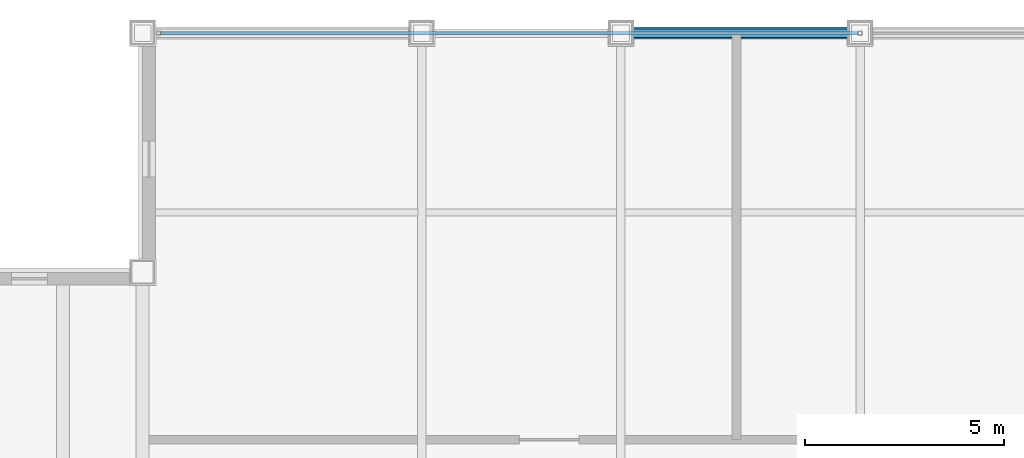
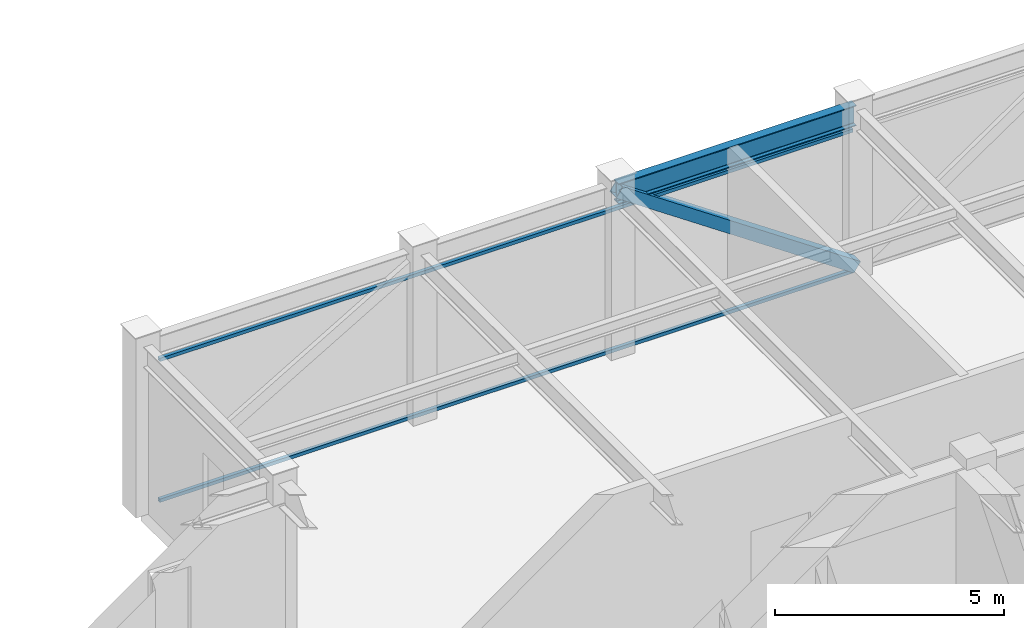
# One storey, part 17 of 27: 3 members, 1 beam, 1 element without a shape of its own.
"""IFC4 building model written with IfcOpenShell, lengths in metres."""

from ifc_helpers import new_model, si_unit, direction, frame, origin, origin_2d, place, context, subcontext, project, spatial, hollow_rectangle, i_section, extrude, source, transform, mapped, material, material_profile, profile_set, type_object, element, aggregate, save


model = new_model("IFC4")

# Units and contexts
model_context = context("Model", 3, precision=1e-05, world=origin(), true_north=direction((0.0, 1.0)))
body_context = subcontext(model_context, "Body", "Model", "MODEL_VIEW")
ifc_project = project(units=[si_unit("LENGTHUNIT", "METRE"), si_unit("AREAUNIT", "SQUARE_METRE"), si_unit("VOLUMEUNIT", "CUBIC_METRE"), si_unit("PLANEANGLEUNIT", "RADIAN"), si_unit("MASSUNIT", "GRAM", prefix="KILO")], contexts=[model_context])

# Site, building, storey
site_placement = place(None, origin())
site = spatial("IfcSite", under=ifc_project, at=site_placement, CompositionType="ELEMENT")
building_placement = place(site_placement, origin())
building = spatial("IfcBuilding", under=site, at=building_placement, Name="Khorayat Bourse Tower", CompositionType="ELEMENT")
storey_placement = place(building_placement, frame((0.0, 0.0, 399.5)))
storey = spatial("IfcBuildingStorey", under=building, at=storey_placement, Name="L94", CompositionType="ELEMENT", Elevation=399.5)

# Beam
ifc_material_1 = material(Name="Steel ASTM A992 Grade 50", Category="steel")
ifc_material_profile_1 = material_profile(ifc_material_1, i_section(OverallWidth=0.214111328125, OverallDepth=0.549072265625, WebThickness=0.0146484375, FlangeThickness=0.023681640625, FilletRadius=0.013916015625, at=origin_2d()), Name="W530X138")
ifc_profile_set_1 = profile_set([ifc_material_profile_1], Name="Steel ASTM A992 Grade 50")
beam_type = type_object("IfcBeamType", Name="BM-SPAN-530", PredefinedType="SPANDREL", material=ifc_profile_set_1)
shared_shape_1 = source(origin(), body_context, "Body", "SweptSolid", [
    extrude(i_section(OverallWidth=0.214111328125, OverallDepth=0.549072265625, WebThickness=0.0146484375, FlangeThickness=0.023681640625, FilletRadius=0.013916015625, at=origin_2d()), origin(), (0.0, 0.0, 1.0), 6.0),
])
beam_placement = place(storey_placement, frame((-6.0, 24.0, 4.2255859375), z_axis=(1.0, 0.0, 0.0), x_axis=(0.0, 1.0, 0.0)))
element("IfcBeam", 1, at=beam_placement, inside=storey, type_object=beam_type, Name="L94 BM-SPAN-530 BM-L94-SPN-043", PredefinedType="SPANDREL", context=body_context, shape_type="MappedRepresentation", body=[
    mapped(shared_shape_1, transform((0.0, 0.0, 0.0), scale=1.0)),
])

# Member
ifc_material_2 = material(Name="Steel EN 10025-2 S355J2", Category="steel")
ifc_material_profile_2 = material_profile(ifc_material_2, hollow_rectangle(XDim=0.300048828125, YDim=0.300048828125, WallThickness=0.01611328125, at=origin_2d()), Name="HSS 300x300x16")
ifc_profile_set_2 = profile_set([ifc_material_profile_2], Name="Steel EN 10025-2 S355J2")
member_type_1 = type_object("IfcMemberType", Name="MBR-CROWN-300", PredefinedType="USERDEFINED", material=ifc_profile_set_2)
shared_shape_2 = source(origin(), body_context, "Body", "SweptSolid", [
    extrude(hollow_rectangle(XDim=0.300048828125, YDim=0.300048828125, WallThickness=0.01611328125, at=origin_2d()), origin(), (0.0, 0.0, 1.0), 7.26708984375),
])
member_1_placement = place(storey_placement, frame((-6.0, 24.0, 4.300048828125), z_axis=(0.825638381691, 0.0, -0.564199665614), x_axis=(0.0, 1.0, 0.0)))
element("IfcMember", 2, at=member_1_placement, inside=storey, type_object=member_type_1, Name="L94 Lantern Crown Frame Member 06", ObjectType="CROWN FRAME", PredefinedType="USERDEFINED", context=body_context, shape_type="MappedRepresentation", body=[
    mapped(shared_shape_2, transform((0.0, 0.0, 0.0), scale=1.0)),
])

# Curtain wall, members
ifc_material_3 = material(Name="Aluminium EN AW-6063 T6", Category="aluminium")
curtain_wall_type = type_object("IfcCurtainWallType", Name="CW-SYS-07", PredefinedType="NOTDEFINED", material=ifc_material_3)
curtain_wall_placement = place(storey_placement, origin())
curtain_wall = element("IfcCurtainWall", 3, at=curtain_wall_placement, inside=storey, type_object=curtain_wall_type, Name="L94 Curtain Wall CW-L94-N1", PredefinedType="NOTDEFINED")
ifc_material_profile_3 = material_profile(ifc_material_3, hollow_rectangle(XDim=0.090087890625, YDim=0.090087890625, WallThickness=0.00390625, at=origin_2d()), Name="ALU 90x90x4")
ifc_profile_set_3 = profile_set([ifc_material_profile_3], Name="Aluminium EN AW-6063 T6")
member_type_2 = type_object("IfcMemberType", Name="CWT-HORZ-90", PredefinedType="USERDEFINED", material=ifc_profile_set_3)
shared_shape_3 = source(origin(), body_context, "Body", "SweptSolid", [
    extrude(hollow_rectangle(XDim=0.090087890625, YDim=0.090087890625, WallThickness=0.00390625, at=origin_2d()), origin(), (0.0, 0.0, 1.0), 17.5),
])
member_2_placement = place(storey_placement, frame((-17.550048828125, 24.0, 0.044921875), z_axis=(1.0, 0.0, 0.0), x_axis=(0.0, 1.0, 0.0)))
member_2 = element("IfcMember", 4, at=member_2_placement, type_object=member_type_2, Name="CW-L94-N1 Horizontal Transom 1-1", ObjectType="TRANSOM", PredefinedType="USERDEFINED", context=body_context, shape_type="MappedRepresentation", body=[
    mapped(shared_shape_3, transform((0.0, 0.0, 0.0), scale=1.0)),
])
member_3_placement = place(storey_placement, frame((-17.550048828125, 24.0, 3.804931640625), z_axis=(1.0, 0.0, 0.0), x_axis=(0.0, 1.0, 0.0)))
member_3 = element("IfcMember", 5, at=member_3_placement, type_object=member_type_2, Name="CW-L94-N1 Horizontal Transom 1-2", ObjectType="TRANSOM", PredefinedType="USERDEFINED", context=body_context, shape_type="MappedRepresentation", body=[
    mapped(shared_shape_3, transform((0.0, 0.0, 0.0), scale=1.0)),
])
aggregate(curtain_wall, [member_2, member_3])

save(model, "model.ifc")
